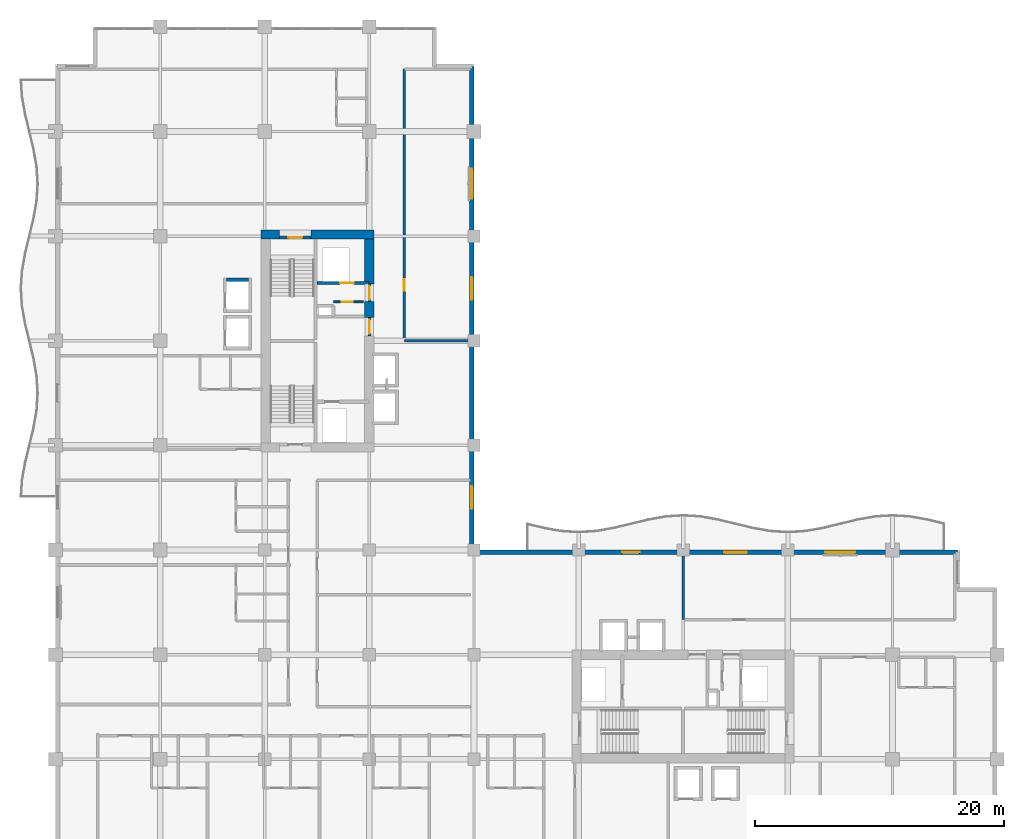
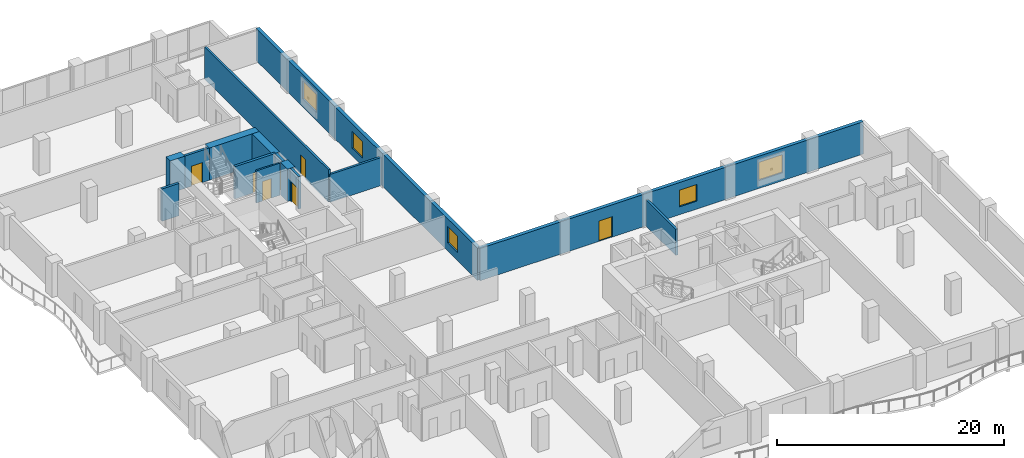
# One storey, part 11 of 20: 15 walls, 7 doors, 5 windows, 12 openings.
"""IFC4 building model written with IfcOpenShell, lengths in metres."""

from ifc_helpers import new_model, si_unit, direction, frame, frame_2d, origin, place, context, subcontext, project, spatial, rectangle, extrude, material, layer, layer_set, type_object, element, fill, save


model = new_model("IFC4")

# Units and contexts
model_context = context("Model", 3, precision=1e-05, world=origin(), true_north=direction((0.0, 1.0)))
body_context = subcontext(model_context, "Body", "Model", "MODEL_VIEW")
ifc_project = project(units=[si_unit("LENGTHUNIT", "METRE"), si_unit("AREAUNIT", "SQUARE_METRE"), si_unit("VOLUMEUNIT", "CUBIC_METRE"), si_unit("PLANEANGLEUNIT", "RADIAN"), si_unit("MASSUNIT", "GRAM", prefix="KILO")], contexts=[model_context])

# Site, building, storey
site_placement = place(None, origin())
site = spatial("IfcSite", under=ifc_project, at=site_placement, CompositionType="ELEMENT")
building_placement = place(site_placement, origin())
building = spatial("IfcBuilding", under=site, at=building_placement, Name="Koriwani Terraces Tower", CompositionType="ELEMENT")
storey_placement = place(building_placement, frame((0.0, 0.0, 175.39990234375)))
storey = spatial("IfcBuildingStorey", under=building, at=storey_placement, Name="L42", CompositionType="ELEMENT", Elevation=175.39990234375)

# Walls
ifc_material_1 = material(Name="Concrete C60/75", Category="concrete")
ifc_layer_1 = layer(ifc_material_1, 0.75, Name="Concrete C60/75")
ifc_layer_set_1 = layer_set([ifc_layer_1], Name="Concrete C60/75")
wall_type_1 = type_object("IfcWallType", Name="WALL_CORE_RC_750", PredefinedType="SHEAR", material=ifc_layer_set_1)
wall_1_placement = place(storey_placement, frame((16.5, 58.925048828125, 0.0), z_axis=(0.0, 0.0, 1.0), x_axis=(1.0, 0.0, 0.0)))
element("IfcWall", 1, at=wall_1_placement, inside=storey, type_object=wall_type_1, Name="L42 West Split Core Shear Wall N1", PredefinedType="SHEAR", context=body_context, shape_type="SweptSolid", body=[
    extrude(rectangle(XDim=1.5, YDim=0.75, at=frame_2d((0.75, 0.0))), origin(), (0.0, 0.0, 1.0), 3.47021484375),
])
wall_2_placement = place(storey_placement, frame((20.5, 58.925048828125, 0.0), z_axis=(0.0, 0.0, 1.0), x_axis=(1.0, 0.0, 0.0)))
element("IfcWall", 2, at=wall_2_placement, inside=storey, type_object=wall_type_1, Name="L42 West Split Core Shear Wall N2", PredefinedType="SHEAR", context=body_context, shape_type="SweptSolid", body=[
    extrude(rectangle(XDim=5.074951171875, YDim=0.75, at=frame_2d((2.53759765625, 0.0))), origin(), (0.0, 0.0, 1.0), 3.47021484375),
])
wall_3_placement = place(storey_placement, frame((25.199951171875, 52.280029296875, 0.0), z_axis=(0.0, 0.0, 1.0), x_axis=(0.0, 1.0, 0.0)))
element("IfcWall", 3, at=wall_3_placement, inside=storey, type_object=wall_type_1, Name="L42 West Split Core Shear Wall E2", PredefinedType="SHEAR", context=body_context, shape_type="SweptSolid", body=[
    extrude(rectangle(XDim=1.27001953125, YDim=0.75, at=frame_2d((0.635009765625, 0.0))), origin(), (0.0, 0.0, 1.0), 3.47021484375),
])
wall_4_placement = place(storey_placement, frame((25.199951171875, 54.949951171875, 0.0), z_axis=(0.0, 0.0, 1.0), x_axis=(0.0, 1.0, 0.0)))
element("IfcWall", 4, at=wall_4_placement, inside=storey, type_object=wall_type_1, Name="L42 West Split Core Shear Wall E3", PredefinedType="SHEAR", context=body_context, shape_type="SweptSolid", body=[
    extrude(rectangle(XDim=3.60009765625, YDim=0.75, at=frame_2d((1.800048828125, 0.0))), origin(), (0.0, 0.0, 1.0), 3.47021484375),
])

# Wall, opening, door
ifc_material_2 = material(Name="Autoclaved Cellular Concrete Blockwork", Category="masonry")
ifc_layer_2 = layer(ifc_material_2, 0.199951171875, Name="Autoclaved Cellular Concrete Blockwork")
ifc_layer_set_2 = layer_set([ifc_layer_2], Name="Autoclaved Cellular Concrete Blockwork")
wall_type_2 = type_object("IfcWallType", Name="WALL_CORRIDOR_200", PredefinedType="PARTITIONING", material=ifc_layer_set_2)
wall_5_placement = place(storey_placement, frame((28.0, 50.39990234375, 0.0), z_axis=(0.0, 0.0, 1.0), x_axis=(0.0, 1.0, 0.0)))
wall_5 = element("IfcWall", 5, at=wall_5_placement, inside=storey, type_object=wall_type_2, Name="L42 Interior Wall WNEC-W-L42", PredefinedType="PARTITIONING", context=body_context, shape_type="SweptSolid", body=[
    extrude(rectangle(XDim=21.800048828125, YDim=0.199951171875, at=frame_2d((10.89990234375, 0.0))), origin(), (0.0, 0.0, 1.0), 3.47021484375),
])
opening_1_placement = place(wall_5_placement, frame((4.0, 0.0, 0.0)))
opening_1 = element("IfcOpeningElement", 6, at=opening_1_placement, cuts=wall_5, Name="Opening D-06", PredefinedType="OPENING", context=body_context, shape_type="SweptSolid", body=[
    extrude(rectangle(XDim=0.919921875, YDim=2.10009765625, at=frame_2d((0.4599609375, 1.050048828125))), frame((0.0, 0.10986328125, 0.0), z_axis=(0.0, -1.0, 0.0), x_axis=(1.0, 0.0, 0.0)), (0.0, 0.0, 1.0), 0.219970703125),
])
ifc_material_3 = material(Name="Architectural Oak Fire Door", Category="wood")
door_type_1 = type_object("IfcDoorType", Name="DOOR_ROOM_INT_920X2100", OperationType="NOTDEFINED", PredefinedType="DOOR", material=ifc_material_3)
door_1_placement = place(opening_1_placement, origin())
door_1 = element("IfcDoor", 7, at=door_1_placement, inside=storey, type_object=door_type_1, Name="L42 North Court Study Door", OperationType="SINGLE_SWING_LEFT", OverallHeight=2.10009765625, OverallWidth=0.919921875, PredefinedType="DOOR", context=body_context, shape_type="SweptSolid", body=[
    extrude(rectangle(XDim=0.919921875, YDim=2.10009765625, at=frame_2d((0.4599609375, 1.050048828125))), frame((0.0, 0.02490234375, 0.0), z_axis=(0.0, -1.0, 0.0), x_axis=(1.0, 0.0, 0.0)), (0.0, 0.0, 1.0), 0.050048828125),
])
fill(opening_1, door_1)

# Walls
ifc_layer_3 = layer(ifc_material_2, 0.219970703125, Name="Autoclaved Cellular Concrete Blockwork")
ifc_layer_set_3 = layer_set([ifc_layer_3], Name="Autoclaved Cellular Concrete Blockwork")
wall_type_3 = type_object("IfcWallType", Name="WALL_DEMISING_220", PredefinedType="PARTITIONING", material=ifc_layer_set_3)
wall_6_placement = place(storey_placement, frame((28.0, 50.39990234375, 0.0), z_axis=(0.0, 0.0, 1.0), x_axis=(1.0, 0.0, 0.0)))
element("IfcWall", 8, at=wall_6_placement, inside=storey, type_object=wall_type_3, Name="L42 Interior Wall WNEC-S-L42", PredefinedType="PARTITIONING", context=body_context, shape_type="SweptSolid", body=[
    extrude(rectangle(XDim=5.300048828125, YDim=0.219970703125, at=frame_2d((2.64990234375, 0.0))), origin(), (0.0, 0.0, 1.0), 3.007080078125),
])
wall_7_placement = place(storey_placement, frame((50.39990234375, 28.0, 0.0), z_axis=(0.0, 0.0, 1.0), x_axis=(0.0, 1.0, 0.0)))
element("IfcWall", 9, at=wall_7_placement, inside=storey, type_object=wall_type_3, Name="L42 Interior Wall WSEC-W-L42", PredefinedType="PARTITIONING", context=body_context, shape_type="SweptSolid", body=[
    extrude(rectangle(XDim=5.300048828125, YDim=0.219970703125, at=frame_2d((2.64990234375, 0.0))), origin(), (0.0, 0.0, 1.0), 2.820068359375),
])

# Wall, openings, windows
ifc_material_4 = material(Name="Concrete C50/60", Category="concrete")
ifc_layer_4 = layer(ifc_material_4, 0.35009765625, Name="Concrete C50/60")
ifc_layer_set_4 = layer_set([ifc_layer_4], Name="Concrete C50/60")
wall_type_4 = type_object("IfcWallType", Name="WALL_EXT_BRUTALIST_350", PredefinedType="STANDARD", material=ifc_layer_set_4)
wall_8_placement = place(storey_placement, frame((33.425048828125, 72.425048828125, 0.0), z_axis=(0.0, 0.0, 1.0), x_axis=(0.0, -1.0, 0.0)))
wall_8 = element("IfcWall", 10, at=wall_8_placement, inside=storey, type_object=wall_type_4, Name="L42 Fair-Faced Brutalist Exterior Wall (NW_IN)", PredefinedType="STANDARD", context=body_context, shape_type="SweptSolid", body=[
    extrude(rectangle(XDim=39.0, YDim=0.35009765625, at=frame_2d((19.5, 0.0))), origin(), (0.0, 0.0, 1.0), 3.47021484375),
])
opening_2_placement = place(wall_8_placement, frame((33.72509765625, 0.0, 0.85009765625)))
opening_2 = element("IfcOpeningElement", 11, at=opening_2_placement, cuts=wall_8, Name="Opening W-04", PredefinedType="OPENING", context=body_context, shape_type="SweptSolid", body=[
    extrude(rectangle(XDim=1.800048828125, YDim=1.800048828125, at=frame_2d((0.89990234375, 0.89990234375))), frame((0.0, 0.18505859375, 0.0), z_axis=(0.0, -1.0, 0.0), x_axis=(1.0, 0.0, 0.0)), (0.0, 0.0, 1.0), 0.3701171875),
])
opening_3_placement = place(wall_8_placement, frame((16.925048828125, 0.0, 0.85009765625)))
opening_3 = element("IfcOpeningElement", 12, at=opening_3_placement, cuts=wall_8, Name="Opening W-04", PredefinedType="OPENING", context=body_context, shape_type="SweptSolid", body=[
    extrude(rectangle(XDim=1.800048828125, YDim=1.800048828125, at=frame_2d((0.89990234375, 0.89990234375))), frame((0.0, 0.18505859375, 0.0), z_axis=(0.0, -1.0, 0.0), x_axis=(1.0, 0.0, 0.0)), (0.0, 0.0, 1.0), 0.3701171875),
])
opening_4_placement = place(wall_8_placement, frame((8.22509765625, 0.0, 0.85009765625)))
opening_4 = element("IfcOpeningElement", 13, at=opening_4_placement, cuts=wall_8, Name="Opening W-03", PredefinedType="OPENING", context=body_context, shape_type="SweptSolid", body=[
    extrude(rectangle(XDim=2.39990234375, YDim=1.949951171875, at=frame_2d((1.199951171875, 0.97509765625))), frame((0.0, 0.18505859375, 0.0), z_axis=(0.0, -1.0, 0.0), x_axis=(1.0, 0.0, 0.0)), (0.0, 0.0, 1.0), 0.3701171875),
])
ifc_material_5 = material(Name="Tempered Laminated Low-E Glass", Category="glass")
window_type_1 = type_object("IfcWindowType", Name="WIN_RES_BED_1800X1800", PartitioningType="DOUBLE_PANEL_VERTICAL", PredefinedType="WINDOW", material=ifc_material_5)
window_1_placement = place(opening_2_placement, origin())
window_1 = element("IfcWindow", 14, at=window_1_placement, inside=storey, type_object=window_type_1, Name="L42 Exterior Window (NW_IN-2)", OverallHeight=1.800048828125, OverallWidth=1.800048828125, PartitioningType="SINGLE_PANEL", PredefinedType="WINDOW", context=body_context, shape_type="SweptSolid", body=[
    extrude(rectangle(XDim=1.800048828125, YDim=1.800048828125, at=frame_2d((0.89990234375, 0.89990234375))), frame((0.0, 0.030029296875, 0.0), z_axis=(0.0, -1.0, 0.0), x_axis=(1.0, 0.0, 0.0)), (0.0, 0.0, 1.0), 0.06005859375),
])
fill(opening_2, window_1)
window_2_placement = place(opening_3_placement, origin())
window_2 = element("IfcWindow", 15, at=window_2_placement, inside=storey, type_object=window_type_1, Name="L42 Exterior Window (NW_IN-8)", OverallHeight=1.800048828125, OverallWidth=1.800048828125, PartitioningType="SINGLE_PANEL", PredefinedType="WINDOW", context=body_context, shape_type="SweptSolid", body=[
    extrude(rectangle(XDim=1.800048828125, YDim=1.800048828125, at=frame_2d((0.89990234375, 0.89990234375))), frame((0.0, 0.030029296875, 0.0), z_axis=(0.0, -1.0, 0.0), x_axis=(1.0, 0.0, 0.0)), (0.0, 0.0, 1.0), 0.06005859375),
])
fill(opening_3, window_2)
window_type_2 = type_object("IfcWindowType", Name="WIN_RES_LIVING_2400X1950", PartitioningType="DOUBLE_PANEL_VERTICAL", PredefinedType="WINDOW", material=ifc_material_5)
window_3_placement = place(opening_4_placement, origin())
window_3 = element("IfcWindow", 16, at=window_3_placement, inside=storey, type_object=window_type_2, Name="L42 Exterior Window (NW_IN-11)", OverallHeight=1.949951171875, OverallWidth=2.39990234375, PartitioningType="SINGLE_PANEL", PredefinedType="WINDOW", context=body_context, shape_type="SweptSolid", body=[
    extrude(rectangle(XDim=2.39990234375, YDim=1.949951171875, at=frame_2d((1.199951171875, 0.97509765625))), frame((0.0, 0.030029296875, 0.0), z_axis=(0.0, -1.0, 0.0), x_axis=(1.0, 0.0, 0.0)), (0.0, 0.0, 1.0), 0.06005859375),
])
fill(opening_4, window_3)

# Wall, openings, door, windows
wall_9_placement = place(storey_placement, frame((33.425048828125, 33.425048828125, 0.0), z_axis=(0.0, 0.0, 1.0), x_axis=(1.0, 0.0, 0.0)))
wall_9 = element("IfcWall", 17, at=wall_9_placement, inside=storey, type_object=wall_type_4, Name="L42 Fair-Faced Brutalist Exterior Wall (NE)", PredefinedType="STANDARD", context=body_context, shape_type="SweptSolid", body=[
    extrude(rectangle(XDim=39.0, YDim=0.35009765625, at=frame_2d((19.5, 0.0))), origin(), (0.0, 0.0, 1.0), 3.47021484375),
])
opening_5_placement = place(wall_9_placement, frame((12.074951171875, 0.0, 0.0)))
opening_5 = element("IfcOpeningElement", 18, at=opening_5_placement, cuts=wall_9, Name="Opening D-09", PredefinedType="OPENING", context=body_context, shape_type="SweptSolid", body=[
    extrude(rectangle(XDim=1.39990234375, YDim=2.199951171875, at=frame_2d((0.699951171875, 1.10009765625))), frame((0.0, 0.18505859375, 0.0), z_axis=(0.0, -1.0, 0.0), x_axis=(1.0, 0.0, 0.0)), (0.0, 0.0, 1.0), 0.3701171875),
])
opening_6_placement = place(wall_9_placement, frame((20.27490234375, 0.0, 0.85009765625)))
opening_6 = element("IfcOpeningElement", 19, at=opening_6_placement, cuts=wall_9, Name="Opening W-04", PredefinedType="OPENING", context=body_context, shape_type="SweptSolid", body=[
    extrude(rectangle(XDim=1.800048828125, YDim=1.800048828125, at=frame_2d((0.89990234375, 0.89990234375))), frame((0.0, 0.18505859375, 0.0), z_axis=(0.0, -1.0, 0.0), x_axis=(1.0, 0.0, 0.0)), (0.0, 0.0, 1.0), 0.3701171875),
])
opening_7_placement = place(wall_9_placement, frame((28.375, 0.0, 0.85009765625)))
opening_7 = element("IfcOpeningElement", 20, at=opening_7_placement, cuts=wall_9, Name="Opening W-03", PredefinedType="OPENING", context=body_context, shape_type="SweptSolid", body=[
    extrude(rectangle(XDim=2.39990234375, YDim=1.949951171875, at=frame_2d((1.199951171875, 0.97509765625))), frame((0.0, 0.18505859375, 0.0), z_axis=(0.0, -1.0, 0.0), x_axis=(1.0, 0.0, 0.0)), (0.0, 0.0, 1.0), 0.3701171875),
])
ifc_material_6 = material(Name="Anodised Bronze Aluminium", Category="aluminium")
door_type_2 = type_object("IfcDoorType", Name="DOOR_BALCONY_GLAZED_1400X2200", OperationType="NOTDEFINED", PredefinedType="DOOR", material=ifc_material_6)
door_2_placement = place(opening_5_placement, origin())
door_2 = element("IfcDoor", 21, at=door_2_placement, inside=storey, type_object=door_type_2, Name="L42 Inner Court Balcony Glazed Door", OperationType="SINGLE_SWING_LEFT", OverallHeight=2.199951171875, OverallWidth=1.39990234375, PredefinedType="DOOR", context=body_context, shape_type="SweptSolid", body=[
    extrude(rectangle(XDim=1.39990234375, YDim=2.199951171875, at=frame_2d((0.699951171875, 1.10009765625))), frame((0.0, 0.02490234375, 0.0), z_axis=(0.0, -1.0, 0.0), x_axis=(1.0, 0.0, 0.0)), (0.0, 0.0, 1.0), 0.050048828125),
])
fill(opening_5, door_2)
window_4_placement = place(opening_6_placement, origin())
window_4 = element("IfcWindow", 22, at=window_4_placement, inside=storey, type_object=window_type_1, Name="L42 Exterior Window (NE-8)", OverallHeight=1.800048828125, OverallWidth=1.800048828125, PartitioningType="SINGLE_PANEL", PredefinedType="WINDOW", context=body_context, shape_type="SweptSolid", body=[
    extrude(rectangle(XDim=1.800048828125, YDim=1.800048828125, at=frame_2d((0.89990234375, 0.89990234375))), frame((0.0, 0.030029296875, 0.0), z_axis=(0.0, -1.0, 0.0), x_axis=(1.0, 0.0, 0.0)), (0.0, 0.0, 1.0), 0.06005859375),
])
fill(opening_6, window_4)
window_5_placement = place(opening_7_placement, origin())
window_5 = element("IfcWindow", 23, at=window_5_placement, inside=storey, type_object=window_type_2, Name="L42 Exterior Window (NE-11)", OverallHeight=1.949951171875, OverallWidth=2.39990234375, PartitioningType="SINGLE_PANEL", PredefinedType="WINDOW", context=body_context, shape_type="SweptSolid", body=[
    extrude(rectangle(XDim=2.39990234375, YDim=1.949951171875, at=frame_2d((1.199951171875, 0.97509765625))), frame((0.0, 0.030029296875, 0.0), z_axis=(0.0, -1.0, 0.0), x_axis=(1.0, 0.0, 0.0)), (0.0, 0.0, 1.0), 0.06005859375),
])
fill(opening_7, window_5)

# Wall, opening, door
ifc_material_7 = material(Name="Concrete C40/50", Category="concrete")
ifc_layer_5 = layer(ifc_material_7, 0.25, Name="Concrete C40/50")
ifc_layer_set_5 = layer_set([ifc_layer_5], Name="Concrete C40/50")
wall_type_5 = type_object("IfcWallType", Name="WALL_SHAFT_RATED_250", PredefinedType="SOLIDWALL", material=ifc_layer_set_5)
wall_10_placement = place(storey_placement, frame((18.0, 58.675048828125, 0.0), z_axis=(0.0, 0.0, 1.0), x_axis=(1.0, 0.0, 0.0)))
wall_10 = element("IfcWall", 24, at=wall_10_placement, inside=storey, type_object=wall_type_5, Name="L42 Interior Wall WIN-CW-L42-STN", PredefinedType="SOLIDWALL", context=body_context, shape_type="SweptSolid", body=[
    extrude(rectangle(XDim=2.5, YDim=0.25, at=frame_2d((1.25, 0.0))), origin(), (0.0, 0.0, 1.0), 3.47021484375),
])
opening_8_placement = place(wall_10_placement, frame((0.699951171875, 0.0, 0.0)))
opening_8 = element("IfcOpeningElement", 25, at=opening_8_placement, cuts=wall_10, Name="Opening D-03", PredefinedType="OPENING", context=body_context, shape_type="SweptSolid", body=[
    extrude(rectangle(XDim=1.10009765625, YDim=2.14990234375, at=frame_2d((0.550048828125, 1.074951171875))), frame((0.0, 0.135009765625, 0.0), z_axis=(0.0, -1.0, 0.0), x_axis=(1.0, 0.0, 0.0)), (0.0, 0.0, 1.0), 0.27001953125),
])
ifc_material_8 = material(Name="Steel ASTM A572 Grade 50", Category="steel")
door_type_3 = type_object("IfcDoorType", Name="DOOR_STAIR_FIRE_1100X2150", OperationType="NOTDEFINED", PredefinedType="DOOR", material=ifc_material_8)
door_3_placement = place(opening_8_placement, origin())
door_3 = element("IfcDoor", 26, at=door_3_placement, inside=storey, type_object=door_type_3, Name="L42 Exit Stair ST-W2 Door", OperationType="SINGLE_SWING_LEFT", OverallHeight=2.14990234375, OverallWidth=1.10009765625, PredefinedType="DOOR", context=body_context, shape_type="SweptSolid", body=[
    extrude(rectangle(XDim=1.10009765625, YDim=2.14990234375, at=frame_2d((0.550048828125, 1.074951171875))), frame((0.0, 0.02490234375, 0.0), z_axis=(0.0, -1.0, 0.0), x_axis=(1.0, 0.0, 0.0)), (0.0, 0.0, 1.0), 0.050048828125),
])
fill(opening_8, door_3)

wall_11_placement = place(storey_placement, frame((25.199951171875, 50.800048828125, 0.0), z_axis=(0.0, 0.0, 1.0), x_axis=(0.0, 1.0, 0.0)))
wall_11 = element("IfcWall", 27, at=wall_11_placement, inside=storey, type_object=wall_type_5, Name="L42 Interior Wall WIN-CW-L42-EP", PredefinedType="SOLIDWALL", context=body_context, shape_type="SweptSolid", body=[
    extrude(rectangle(XDim=1.47998046875, YDim=0.25, at=frame_2d((0.739990234375, 0.0))), origin(), (0.0, 0.0, 1.0), 3.47021484375),
])
opening_9_placement = place(wall_11_placement, frame((0.179931640625, 0.0, 0.0)))
opening_9 = element("IfcOpeningElement", 28, at=opening_9_placement, cuts=wall_11, Name="Opening D-03", PredefinedType="OPENING", context=body_context, shape_type="SweptSolid", body=[
    extrude(rectangle(XDim=1.10009765625, YDim=2.14990234375, at=frame_2d((0.550048828125, 1.074951171875))), frame((0.0, 0.135009765625, 0.0), z_axis=(0.0, -1.0, 0.0), x_axis=(1.0, 0.0, 0.0)), (0.0, 0.0, 1.0), 0.27001953125),
])
door_4_placement = place(opening_9_placement, origin())
door_4 = element("IfcDoor", 29, at=door_4_placement, inside=storey, type_object=door_type_3, Name="L42 West Firefighting Lobby Door", OperationType="SINGLE_SWING_RIGHT", OverallHeight=2.14990234375, OverallWidth=1.10009765625, PredefinedType="DOOR", context=body_context, shape_type="SweptSolid", body=[
    extrude(rectangle(XDim=1.10009765625, YDim=2.14990234375, at=frame_2d((0.550048828125, 1.074951171875))), frame((0.0, 0.02490234375, 0.0), z_axis=(0.0, -1.0, 0.0), x_axis=(1.0, 0.0, 0.0)), (0.0, 0.0, 1.0), 0.050048828125),
])
fill(opening_9, door_4)

wall_12_placement = place(storey_placement, frame((21.0, 55.050048828125, 0.0), z_axis=(0.0, 0.0, 1.0), x_axis=(1.0, 0.0, 0.0)))
wall_12 = element("IfcWall", 30, at=wall_12_placement, inside=storey, type_object=wall_type_5, Name="L42 Interior Wall WIN-CW-L42-SE", PredefinedType="SOLIDWALL", context=body_context, shape_type="SweptSolid", body=[
    extrude(rectangle(XDim=4.14990234375, YDim=0.25, at=frame_2d((2.074951171875, 0.0))), origin(), (0.0, 0.0, 1.0), 3.47021484375),
])
opening_10_placement = place(wall_12_placement, frame((1.85009765625, 0.0, 0.0)))
opening_10 = element("IfcOpeningElement", 31, at=opening_10_placement, cuts=wall_12, Name="Opening LD-01", PredefinedType="OPENING", context=body_context, shape_type="SweptSolid", body=[
    extrude(rectangle(XDim=1.10009765625, YDim=2.14990234375, at=frame_2d((0.550048828125, 1.074951171875))), frame((0.0, 0.135009765625, 0.0), z_axis=(0.0, -1.0, 0.0), x_axis=(1.0, 0.0, 0.0)), (0.0, 0.0, 1.0), 0.27001953125),
])
door_type_4 = type_object("IfcDoorType", Name="DOOR_LIFT_LANDING_1100X2200", OperationType="NOTDEFINED", PredefinedType="DOOR", material=ifc_material_8)
door_5_placement = place(opening_10_placement, origin())
door_5 = element("IfcDoor", 32, at=door_5_placement, inside=storey, type_object=door_type_4, Name="L42 Goods Lift SE-01 Landing Door", OperationType="SLIDING_TO_LEFT", OverallHeight=2.14990234375, OverallWidth=1.10009765625, PredefinedType="DOOR", context=body_context, shape_type="SweptSolid", body=[
    extrude(rectangle(XDim=1.10009765625, YDim=2.14990234375, at=frame_2d((0.550048828125, 1.074951171875))), frame((0.0, 0.02490234375, 0.0), z_axis=(0.0, -1.0, 0.0), x_axis=(1.0, 0.0, 0.0)), (0.0, 0.0, 1.0), 0.050048828125),
])
fill(opening_10, door_5)

wall_13_placement = place(storey_placement, frame((25.199951171875, 53.550048828125, 0.0), z_axis=(0.0, 0.0, 1.0), x_axis=(0.0, 1.0, 0.0)))
wall_13 = element("IfcWall", 33, at=wall_13_placement, inside=storey, type_object=wall_type_5, Name="L42 Interior Wall WIN-CW-L42-EP2", PredefinedType="SOLIDWALL", context=body_context, shape_type="SweptSolid", body=[
    extrude(rectangle(XDim=1.39990234375, YDim=0.25, at=frame_2d((0.699951171875, 0.0))), origin(), (0.0, 0.0, 1.0), 3.47021484375),
])
opening_11_placement = place(wall_13_placement, frame((0.14990234375, 0.0, 0.0)))
opening_11 = element("IfcOpeningElement", 34, at=opening_11_placement, cuts=wall_13, Name="Opening D-03", PredefinedType="OPENING", context=body_context, shape_type="SweptSolid", body=[
    extrude(rectangle(XDim=1.10009765625, YDim=2.14990234375, at=frame_2d((0.550048828125, 1.074951171875))), frame((0.0, 0.135009765625, 0.0), z_axis=(0.0, -1.0, 0.0), x_axis=(1.0, 0.0, 0.0)), (0.0, 0.0, 1.0), 0.27001953125),
])
door_6_placement = place(opening_11_placement, origin())
door_6 = element("IfcDoor", 35, at=door_6_placement, inside=storey, type_object=door_type_3, Name="L42 West Goods Lift Lobby Door", OperationType="SINGLE_SWING_LEFT", OverallHeight=2.14990234375, OverallWidth=1.10009765625, PredefinedType="DOOR", context=body_context, shape_type="SweptSolid", body=[
    extrude(rectangle(XDim=1.10009765625, YDim=2.14990234375, at=frame_2d((0.550048828125, 1.074951171875))), frame((0.0, 0.02490234375, 0.0), z_axis=(0.0, -1.0, 0.0), x_axis=(1.0, 0.0, 0.0)), (0.0, 0.0, 1.0), 0.050048828125),
])
fill(opening_11, door_6)

# Wall
wall_14_placement = place(storey_placement, frame((13.72509765625, 55.300048828125, 0.0), z_axis=(0.0, 0.0, 1.0), x_axis=(1.0, 0.0, 0.0)))
element("IfcWall", 36, at=wall_14_placement, inside=storey, type_object=wall_type_5, Name="L42 Interior Wall WIN-LF-PE-M2-L42-N", PredefinedType="SOLIDWALL", context=body_context, shape_type="SweptSolid", body=[
    extrude(rectangle(XDim=1.75, YDim=0.25, at=frame_2d((0.875, 0.0))), origin(), (0.0, 0.0, 1.0), 3.47021484375),
])

# Wall, opening, door
ifc_material_9 = material(Name="Fire-Rated Acoustic Gypsum Partition", Category="masonry")
ifc_layer_6 = layer(ifc_material_9, 0.159912109375, Name="Fire-Rated Acoustic Gypsum Partition")
ifc_layer_set_6 = layer_set([ifc_layer_6], Name="Fire-Rated Acoustic Gypsum Partition")
wall_type_6 = type_object("IfcWallType", Name="WALL_SUITE_160", PredefinedType="PARTITIONING", material=ifc_layer_set_6)
wall_15_placement = place(storey_placement, frame((22.320068359375, 53.52001953125, 0.0), z_axis=(0.0, 0.0, 1.0), x_axis=(1.0, 0.0, 0.0)))
wall_15 = element("IfcWall", 37, at=wall_15_placement, inside=storey, type_object=wall_type_6, Name="L42 Interior Wall WIN-CW-L42-SV0", PredefinedType="PARTITIONING", context=body_context, shape_type="SweptSolid", body=[
    extrude(rectangle(XDim=2.39990234375, YDim=0.159912109375, at=frame_2d((1.199951171875, 0.0))), origin(), (0.0, 0.0, 1.0), 3.47021484375),
])
opening_12_placement = place(wall_15_placement, frame((0.64990234375, 0.0, 0.0)))
opening_12 = element("IfcOpeningElement", 38, at=opening_12_placement, cuts=wall_15, Name="Opening D-07", PredefinedType="OPENING", context=body_context, shape_type="SweptSolid", body=[
    extrude(rectangle(XDim=0.89990234375, YDim=2.10009765625, at=frame_2d((0.449951171875, 1.050048828125))), frame((0.0, 0.08984375, 0.0), z_axis=(0.0, -1.0, 0.0), x_axis=(1.0, 0.0, 0.0)), (0.0, 0.0, 1.0), 0.179931640625),
])
door_type_5 = type_object("IfcDoorType", Name="DOOR_BATH_INT_900X2100", OperationType="NOTDEFINED", PredefinedType="DOOR", material=ifc_material_3)
door_7_placement = place(opening_12_placement, origin())
door_7 = element("IfcDoor", 39, at=door_7_placement, inside=storey, type_object=door_type_5, Name="L42 West Electrical Switch Room Door", OperationType="SINGLE_SWING_RIGHT", OverallHeight=2.10009765625, OverallWidth=0.89990234375, PredefinedType="DOOR", context=body_context, shape_type="SweptSolid", body=[
    extrude(rectangle(XDim=0.89990234375, YDim=2.10009765625, at=frame_2d((0.449951171875, 1.050048828125))), frame((0.0, 0.02490234375, 0.0), z_axis=(0.0, -1.0, 0.0), x_axis=(1.0, 0.0, 0.0)), (0.0, 0.0, 1.0), 0.050048828125),
])
fill(opening_12, door_7)

save(model, "model.ifc")
